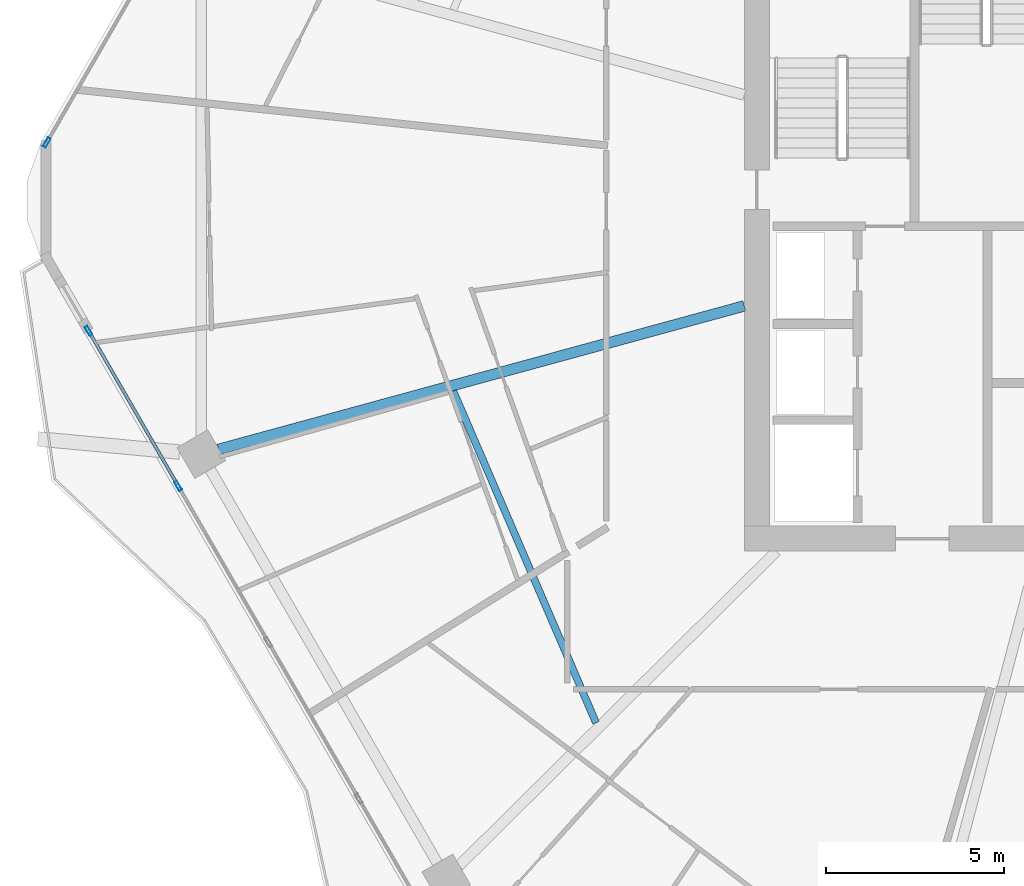
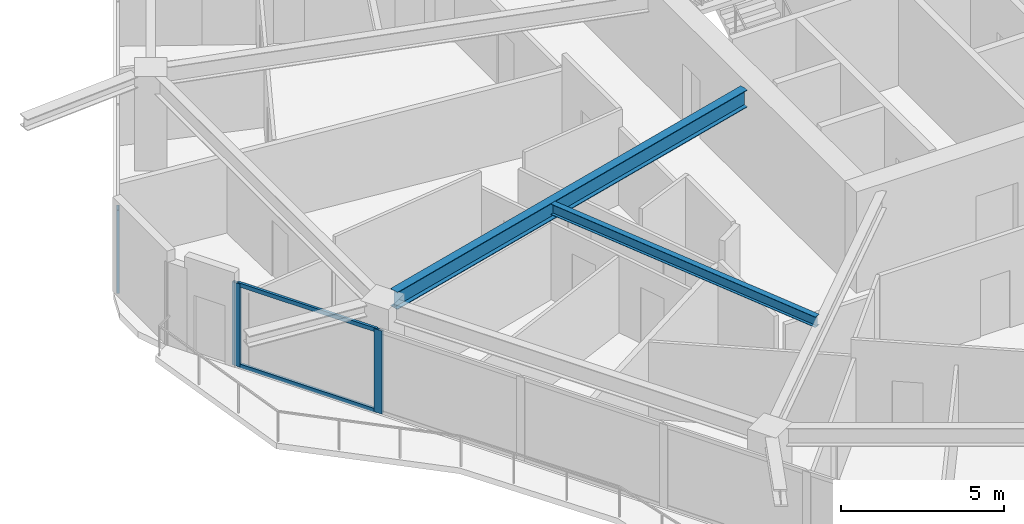
# One storey, part 5 of 26: 5 members, 2 beams, 2 elements without a shape of their own.
"""IFC4 building model written with IfcOpenShell, lengths in metres."""

from ifc_helpers import new_model, si_unit, direction, frame, origin, origin_2d, place, context, subcontext, project, spatial, hollow_rectangle, i_section, extrude, material, material_profile, profile_set, type_object, element, aggregate, save


model = new_model("IFC4")

# Units and contexts
model_context = context("Model", 3, precision=1e-05, world=origin(), true_north=direction((0.0, 1.0)))
body_context = subcontext(model_context, "Body", "Model", "MODEL_VIEW")
ifc_project = project(units=[si_unit("LENGTHUNIT", "METRE"), si_unit("AREAUNIT", "SQUARE_METRE"), si_unit("VOLUMEUNIT", "CUBIC_METRE"), si_unit("PLANEANGLEUNIT", "RADIAN"), si_unit("MASSUNIT", "GRAM", prefix="KILO")], contexts=[model_context])

# Site, building, storey
site_placement = place(None, origin())
site = spatial("IfcSite", under=ifc_project, at=site_placement, CompositionType="ELEMENT")
building_placement = place(site_placement, origin())
building = spatial("IfcBuilding", under=site, at=building_placement, Name="Zuhravey Tower", CompositionType="ELEMENT")
storey_placement = place(building_placement, frame((0.0, 0.0, 158.0)))
storey = spatial("IfcBuildingStorey", under=building, at=storey_placement, Name="L39", CompositionType="ELEMENT", Elevation=158.0)

# Curtain wall, members
ifc_material_1 = material(Name="Thermally broken anodised aluminium", Category="aluminium")
curtain_wall_type = type_object("IfcCurtainWallType", Name="Zone 1-2 Residential Curtain Wall CW3", PredefinedType="NOTDEFINED", material=ifc_material_1)
curtain_wall_1_placement = place(storey_placement, origin())
curtain_wall_1 = element("IfcCurtainWall", 1, at=curtain_wall_1_placement, inside=storey, type_object=curtain_wall_type, Name="L39 CW3 CW-L39-F4-1", PredefinedType="NOTDEFINED")
ifc_material_2 = material(Name="Anodised aluminium", Category="aluminium")
ifc_material_profile_1 = material_profile(ifc_material_2, hollow_rectangle(XDim=0.090087890625, YDim=0.284912109375, WallThickness=0.0048828125, at=origin_2d()), Name="ALU-RHS-90x285x5")
ifc_profile_set_1 = profile_set([ifc_material_profile_1], Name="Anodised aluminium")
member_type_1 = type_object("IfcMemberType", Name="Curtain-Wall Mullion 90x180", PredefinedType="MULLION", material=ifc_profile_set_1)
member_1_placement = place(storey_placement, frame((9.240478515625, 23.98291015625, 0.0), z_axis=(0.0, 0.0, 1.0), x_axis=(-0.866025701852, -0.499999483732, 0.0)))
member_1 = element("IfcMember", 2, at=member_1_placement, type_object=member_type_1, Name="CW3 mullion 5", PredefinedType="MULLION", context=body_context, shape_type="SweptSolid", body=[
    extrude(hollow_rectangle(XDim=0.090087890625, YDim=0.284912109375, WallThickness=0.0048828125, at=origin_2d()), origin(), (0.0, 0.0, 1.0), 3.1220703125),
])
member_2_placement = place(storey_placement, frame((6.7255859375, 28.33837890625, 0.0), z_axis=(0.0, 0.0, 1.0), x_axis=(-0.866025701852, -0.499999483732, 0.0)))
member_2 = element("IfcMember", 3, at=member_2_placement, type_object=member_type_1, Name="CW3 mullion 6", PredefinedType="MULLION", context=body_context, shape_type="SweptSolid", body=[
    extrude(hollow_rectangle(XDim=0.090087890625, YDim=0.284912109375, WallThickness=0.0048828125, at=origin_2d()), origin(), (0.0, 0.0, 1.0), 3.1220703125),
])

# Curtain wall, member
curtain_wall_2_placement = place(storey_placement, origin())
curtain_wall_2 = element("IfcCurtainWall", 4, at=curtain_wall_2_placement, inside=storey, type_object=curtain_wall_type, Name="L39 CW3 CW-L39-F3-1", PredefinedType="NOTDEFINED")
member_3_placement = place(storey_placement, frame((5.55078125, 33.62646484375, 0.0), z_axis=(0.0, 0.0, 1.0), x_axis=(-0.866025138215, 0.500000459979, 0.0)))
member_3 = element("IfcMember", 5, at=member_3_placement, type_object=member_type_1, Name="CW3 mullion 1", PredefinedType="MULLION", context=body_context, shape_type="SweptSolid", body=[
    extrude(hollow_rectangle(XDim=0.090087890625, YDim=0.284912109375, WallThickness=0.0048828125, at=origin_2d()), origin(), (0.0, 0.0, 1.0), 3.1220703125),
])
aggregate(curtain_wall_2, [member_3])

# Member
ifc_material_profile_2 = material_profile(ifc_material_2, hollow_rectangle(XDim=0.090087890625, YDim=0.14990234375, WallThickness=0.0048828125, at=origin_2d()), Name="ALU-RHS-90x150x5")
ifc_profile_set_2 = profile_set([ifc_material_profile_2], Name="Anodised aluminium")
member_type_2 = type_object("IfcMemberType", Name="Curtain-Wall Transom 90x150", PredefinedType="USERDEFINED", material=ifc_profile_set_2)
member_4_placement = place(storey_placement, frame((9.218017578125, 24.021728515625, 0.044921875), z_axis=(-0.499987714637, 0.866032496626, 0.0), x_axis=(-0.866032496626, -0.499987714637, 0.0)))
member_4 = element("IfcMember", 6, at=member_4_placement, type_object=member_type_2, Name="CW3 transom 5.1", ObjectType="TRANSOM", PredefinedType="USERDEFINED", context=body_context, shape_type="SweptSolid", body=[
    extrude(hollow_rectangle(XDim=0.090087890625, YDim=0.14990234375, WallThickness=0.0048828125, at=origin_2d()), origin(), (0.0, 0.0, 1.0), 4.939453125),
])

member_5_placement = place(storey_placement, frame((9.218017578125, 24.021728515625, 3.076904296875), z_axis=(-0.499987714637, 0.866032496626, 0.0), x_axis=(-0.866032496626, -0.499987714637, 0.0)))
member_5 = element("IfcMember", 7, at=member_5_placement, type_object=member_type_2, Name="CW3 transom 5.2", ObjectType="TRANSOM", PredefinedType="USERDEFINED", context=body_context, shape_type="SweptSolid", body=[
    extrude(hollow_rectangle(XDim=0.090087890625, YDim=0.14990234375, WallThickness=0.0048828125, at=origin_2d()), origin(), (0.0, 0.0, 1.0), 4.939453125),
])

aggregate(curtain_wall_1, [member_1, member_2, member_4, member_5])

# Beams
ifc_material_3 = material(Name="Steel SM355", Category="steel")
ifc_material_profile_3 = material_profile(ifc_material_3, i_section(OverallWidth=0.300048828125, OverallDepth=0.64990234375, WebThickness=0.012939453125, FlangeThickness=0.02197265625, at=origin_2d()), Name="H-650x300x13x22")
ifc_profile_set_3 = profile_set([ifc_material_profile_3], Name="Steel SM355")
beam_type_1 = type_object("IfcBeamType", Name="Radial Primary Girder H650x300", PredefinedType="BEAM", material=ifc_profile_set_3)
beam_1_placement = place(storey_placement, frame((25.14697265625, 29.03759765625, 3.22509765625), z_axis=(-0.964701601771, -0.263345437667, 0.0), x_axis=(0.263345437667, -0.964701601771, 0.0)))
element("IfcBeam", 8, at=beam_1_placement, inside=storey, type_object=beam_type_1, Name="L39 RG2 BM-L39-RAD-07", PredefinedType="BEAM", context=body_context, shape_type="SweptSolid", body=[
    extrude(i_section(OverallWidth=0.300048828125, OverallDepth=0.64990234375, WebThickness=0.012939453125, FlangeThickness=0.02197265625, at=origin_2d()), origin(), (0.0, 0.0, 1.0), 15.309814453125),
])
ifc_material_profile_4 = material_profile(ifc_material_3, i_section(OverallWidth=0.199951171875, OverallDepth=0.39990234375, WebThickness=0.008056640625, FlangeThickness=0.012939453125, at=origin_2d()), Name="H-400x200x8x13")
ifc_profile_set_4 = profile_set([ifc_material_profile_4], Name="Steel SM355")
beam_type_2 = type_object("IfcBeamType", Name="Secondary Floor Joist H400x200", PredefinedType="JOIST", material=ifc_profile_set_4)
beam_2_placement = place(storey_placement, frame((16.970458984375, 26.6474609375, 3.35009765625), z_axis=(0.395265853487, -0.918566766799, 0.0), x_axis=(0.918566766799, 0.395265853487, 0.0)))
element("IfcBeam", 9, at=beam_2_placement, inside=storey, type_object=beam_type_2, Name="L39 SJ2 BM-L39-SJ-07-1", PredefinedType="JOIST", context=body_context, shape_type="SweptSolid", body=[
    extrude(i_section(OverallWidth=0.199951171875, OverallDepth=0.39990234375, WebThickness=0.008056640625, FlangeThickness=0.012939453125, at=origin_2d()), origin(), (0.0, 0.0, 1.0), 10.150146484375),
])

save(model, "model.ifc")
